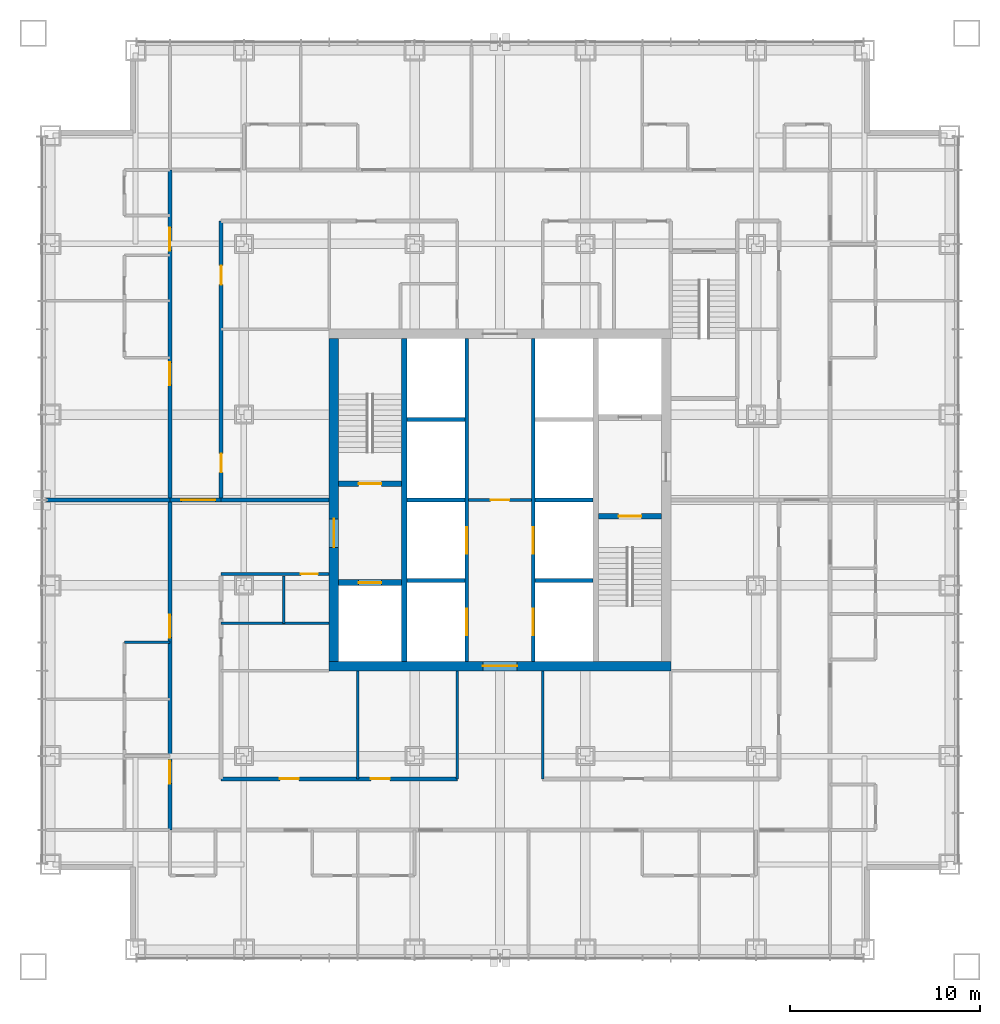
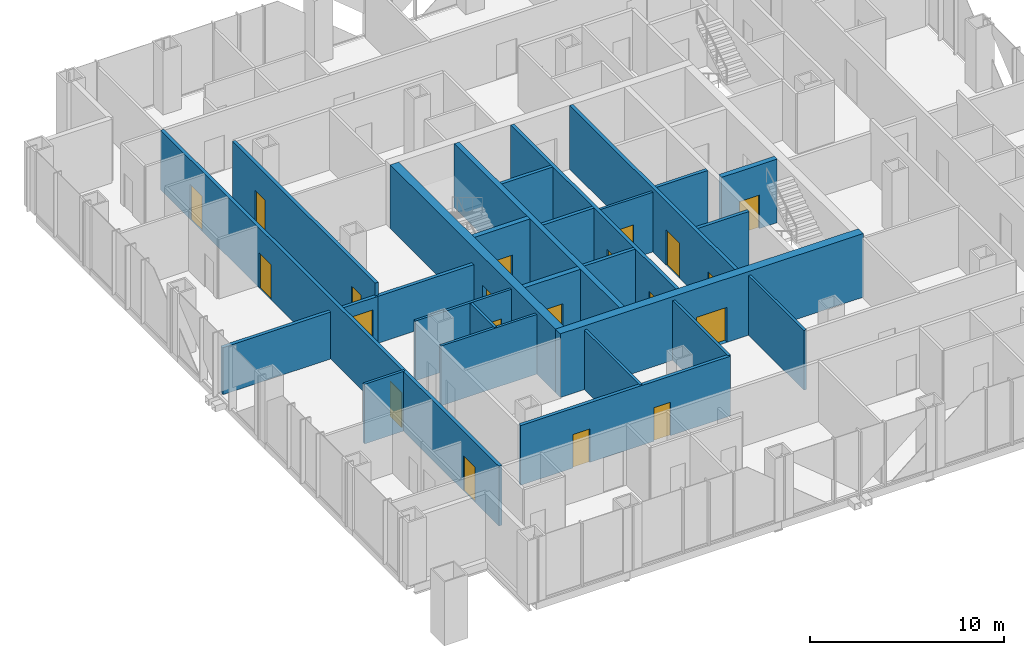
# One storey, part 9 of 17: 27 walls, 20 doors, 20 openings.
"""IFC4 building model written with IfcOpenShell, lengths in metres."""

import ifcopenshell
import ifcopenshell.guid

model = None  # the IFC model being written
_history = None  # IfcOwnerHistory: only IFC2X3 demands one
_inside = {}  # id of a spatial element -> (the spatial element, [elements in it])
_under = {}  # id of a project, library or spatial element -> (it, [spatial elements below it])
_declared = {}  # id of a project -> (the project, [libraries it declares])
_typed = {}  # id of a type object -> (the type object, [elements of that type])
_made_of = {}  # id of a material, layer set ... -> (it, [elements and type objects made of it])


def new_model(schema):
    """Start an empty IFC model of exactly this schema.

    Asked for "IFC4X3", IfcOpenShell would pick the latest addendum, in which some entities
    have other attributes; the version numbers below select the first issue.
    IFC2X3 requires an IfcOwnerHistory on every rooted entity: one is made here for all.
    """
    global model, _history
    if schema == "IFC4X3":
        model = ifcopenshell.file(schema_version=(4, 3, 0, 0))
    else:
        model = ifcopenshell.file(schema=schema)
    _inside.clear()
    _under.clear()
    _declared.clear()
    _typed.clear()
    _made_of.clear()
    _history = None
    if model.schema == "IFC2X3":
        org = make("IfcOrganization", Name="unknown")
        user = make(
            "IfcPersonAndOrganization",
            ThePerson=make("IfcPerson", FamilyName="unknown"),
            TheOrganization=org,
        )
        app = make(
            "IfcApplication",
            ApplicationDeveloper=org,
            Version="unknown",
            ApplicationFullName="unknown",
            ApplicationIdentifier="unknown",
        )
        _history = make(
            "IfcOwnerHistory",
            OwningUser=user,
            OwningApplication=app,
            ChangeAction="ADDED",
            CreationDate=0,
        )
    return model


def make(cls, **values):
    """One entity of the class cls with the attributes given. An attribute that is None is left unset."""
    return model.create_entity(
        cls, **{name: value for name, value in values.items() if value is not None}
    )


def rooted(cls, **values):
    """An entity with a GlobalId (a new one), such as an element, a storey or a relation."""
    return make(cls, GlobalId=ifcopenshell.guid.new(), OwnerHistory=_history, **values)


def si_unit(unit_type, name, prefix=None):
    """IfcSIUnit, for example si_unit("LENGTHUNIT", "METRE", prefix="MILLI")."""
    return make("IfcSIUnit", UnitType=unit_type, Prefix=prefix, Name=name)


def assignment(units):
    """IfcUnitAssignment: the units of a project."""
    return None if units is None else make("IfcUnitAssignment", Units=units)


def point(xyz):
    """IfcCartesianPoint."""
    return None if xyz is None else make("IfcCartesianPoint", Coordinates=xyz)


def direction(xyz):
    """IfcDirection."""
    return None if xyz is None else make("IfcDirection", DirectionRatios=xyz)


def frame(location, z_axis=None, x_axis=None):
    """IfcAxis2Placement3D, a coordinate frame: its origin and axes. An axis left out is left unset."""
    return make(
        "IfcAxis2Placement3D",
        Location=point(location),
        Axis=direction(z_axis),
        RefDirection=direction(x_axis),
    )


def frame_2d(location, x_axis=None):
    """IfcAxis2Placement2D, a coordinate frame in the plane: its origin and x axis."""
    return make(
        "IfcAxis2Placement2D", Location=point(location), RefDirection=direction(x_axis)
    )


def origin():
    """The frame at (0, 0, 0) with its axes left unset."""
    return frame((0.0, 0.0, 0.0))


def place(relative_to, where):
    """IfcLocalPlacement: puts the frame where relative to a parent placement (None: the world)."""
    return make(
        "IfcLocalPlacement", PlacementRelTo=relative_to, RelativePlacement=where
    )


def context(
    kind, dimensions, precision=None, world=None, true_north=None, identifier=None
):
    """IfcGeometricRepresentationContext, for example the 3D "Model" context."""
    return make(
        "IfcGeometricRepresentationContext",
        ContextIdentifier=identifier,
        ContextType=kind,
        CoordinateSpaceDimension=dimensions,
        Precision=precision,
        WorldCoordinateSystem=world,
        TrueNorth=true_north,
    )


def subcontext(parent, identifier, kind, view, scale=None):
    """IfcGeometricRepresentationSubContext, for example "Body" below "Model"."""
    return make(
        "IfcGeometricRepresentationSubContext",
        ContextIdentifier=identifier,
        ContextType=kind,
        ParentContext=parent,
        TargetScale=scale,
        TargetView=view,
    )


def project(units=None, contexts=None):
    """IfcProject with its units and contexts."""
    return rooted(
        "IfcProject",
        Name="project",
        RepresentationContexts=contexts,
        UnitsInContext=assignment(units),
    )


def spatial(cls, under=None, at=None, **own):
    """A site, building, storey or space (cls), placed at a placement, below another one or the project."""
    s = rooted(cls, ObjectPlacement=at, **own)
    if under is not None:
        _under.setdefault(under.id(), (under, []))[1].append(s)
    return s


def profile(cls, at=None, kind="AREA", **sizes):
    """A parametric profile (cls). Its sizes go by their IFC names, for example OverallWidth=200.0."""
    return make(cls, ProfileType=kind, Position=at, **sizes)


def rectangle(**sizes):
    """IfcRectangleProfileDef."""
    return profile("IfcRectangleProfileDef", **sizes)


def extrude(swept, where, along, depth):
    """IfcExtrudedAreaSolid: the profile swept, set in the frame where, extruded along a direction by depth."""
    return make(
        "IfcExtrudedAreaSolid",
        SweptArea=swept,
        Position=where,
        ExtrudedDirection=direction(along),
        Depth=depth,
    )


def shape(context_of_items, identifier, shape_type, items):
    """IfcShapeRepresentation: the items that make up one representation, for example the "Body"."""
    return make(
        "IfcShapeRepresentation",
        ContextOfItems=context_of_items,
        RepresentationIdentifier=identifier,
        RepresentationType=shape_type,
        Items=items,
    )


def material(Name=None, Category=None):
    """IfcMaterial."""
    return make("IfcMaterial", Name=Name, Category=Category)


def layer(
    of_material, thickness, ventilated=None, Name=None, Category=None, Priority=None
):
    """IfcMaterialLayer: one layer of a wall or slab, of a material (None: an air gap)."""
    return make(
        "IfcMaterialLayer",
        Material=of_material,
        LayerThickness=thickness,
        IsVentilated=ventilated,
        Name=Name,
        Category=Category,
        Priority=Priority,
    )


def layer_set(layers, Name=None):
    """IfcMaterialLayerSet."""
    return make("IfcMaterialLayerSet", MaterialLayers=layers, LayerSetName=Name)


def made_of(thing, what):
    """Note that an element or type object is made of a material, layer set ...; save() writes the relation."""
    if what is not None:
        _made_of.setdefault(what.id(), (what, []))[1].append(thing)
    return thing


def type_object(cls, material=None, **own):
    """A type object (cls), such as IfcWallType, which elements share."""
    return made_of(rooted(cls, **own), material)


def element(
    cls,
    number,
    at=None,
    inside=None,
    cuts=None,
    type_object=None,
    material=None,
    context=None,
    identifier="Body",
    shape_type=None,
    held_by="IfcProductDefinitionShape",
    body=None,
    shapes=None,
    **own,
):
    """One element of the class cls, such as IfcWall. Its Tag is "e" and its number.

    at: its placement. inside: the storey or other place that contains it. cuts: it is an
    opening in that element (IfcRelVoidsElement). A single representation is given by context,
    identifier, shape_type and body (its items); several are given by shapes. held_by: the class
    of the entity that holds the representations. save() writes the other relations.
    """
    e = rooted(cls, Tag="e%d" % number, ObjectPlacement=at, **own)
    if body is not None:
        shapes = [shape(context, identifier, shape_type, body)]
    if shapes is not None:
        e.Representation = make(held_by, Representations=shapes)
    if inside is not None:
        _inside.setdefault(inside.id(), (inside, []))[1].append(e)
    if cuts is not None:
        rooted(
            "IfcRelVoidsElement", RelatingBuildingElement=cuts, RelatedOpeningElement=e
        )
    if type_object is not None:
        _typed.setdefault(type_object.id(), (type_object, []))[1].append(e)
    return made_of(e, material)


def fill(opening, filler):
    """IfcRelFillsElement: the door or window that sits in an opening."""
    return rooted(
        "IfcRelFillsElement",
        RelatingOpeningElement=opening,
        RelatedBuildingElement=filler,
    )


def aggregate(whole, parts):
    """IfcRelAggregates: a whole, such as a stair, and the parts it consists of."""
    return rooted("IfcRelAggregates", RelatingObject=whole, RelatedObjects=parts)


def save(model, path):
    """Write the relations noted so far, then the file.

    IfcRelAggregates (storeys below a building ...), IfcRelContainedInSpatialStructure (elements
    in a storey), IfcRelDefinesByType, IfcRelAssociatesMaterial and IfcRelDeclares: one each for
    every whole, place, type object, material and project.
    """
    for whole, parts in _under.values():
        aggregate(whole, parts)
    for where, things in _inside.values():
        rooted(
            "IfcRelContainedInSpatialStructure",
            RelatedElements=things,
            RelatingStructure=where,
        )
    for kind, things in _typed.values():
        rooted("IfcRelDefinesByType", RelatedObjects=things, RelatingType=kind)
    for what, things in _made_of.values():
        rooted("IfcRelAssociatesMaterial", RelatedObjects=things, RelatingMaterial=what)
    for by, libraries in _declared.values():
        rooted("IfcRelDeclares", RelatingContext=by, RelatedDefinitions=libraries)
    model.write(path)


model = new_model("IFC4")

# Units and contexts
model_context = context("Model", 3, precision=1e-05, world=origin(), true_north=direction((0.0, 1.0)))
body_context = subcontext(model_context, "Body", "Model", "MODEL_VIEW")
ifc_project = project(units=[si_unit("LENGTHUNIT", "METRE"), si_unit("AREAUNIT", "SQUARE_METRE"), si_unit("VOLUMEUNIT", "CUBIC_METRE"), si_unit("PLANEANGLEUNIT", "RADIAN"), si_unit("MASSUNIT", "GRAM", prefix="KILO")], contexts=[model_context])

# Site, building, storey
site_placement = place(None, origin())
site = spatial("IfcSite", under=ifc_project, at=site_placement, CompositionType="ELEMENT")
building_placement = place(site_placement, origin())
building = spatial("IfcBuilding", under=site, at=building_placement, Name="Malebo Sky Hospital", CompositionType="ELEMENT")
storey_placement = place(building_placement, frame((0.0, 0.0, 120.0)))
storey = spatial("IfcBuildingStorey", under=building, at=storey_placement, Name="L28", CompositionType="ELEMENT", Elevation=120.0)

# Wall, openings, doors
ifc_material_1 = material(Name="Concrete C80/95", Category="concrete")
ifc_layer_1 = layer(ifc_material_1, 0.199951171875)
ifc_layer_set_1 = layer_set([ifc_layer_1], Name="CORE INNER WALL 200")
wall_type_1 = type_object("IfcWallType", Name="CORE INNER WALL 200", PredefinedType="SHEAR", material=ifc_layer_set_1)
wall_1_placement = place(storey_placement, frame((58.25, 53.5, 0.0), z_axis=(0.0, 0.0, 1.0), x_axis=(0.0, 1.0, 0.0)))
wall_1 = element("IfcWall", 1, at=wall_1_placement, inside=storey, type_object=wall_type_1, Name="Core wall LW L28", PredefinedType="SHEAR", context=body_context, shape_type="SweptSolid", body=[
    extrude(rectangle(XDim=17.0, YDim=0.199951171875, at=frame_2d((8.5, 0.0))), origin(), (0.0, 0.0, 1.0), 4.0),
])
opening_1_placement = place(wall_1_placement, frame((1.375, 0.0, 0.0)))
opening_1 = element("IfcOpeningElement", 2, at=opening_1_placement, cuts=wall_1, Name="Opening LD1", PredefinedType="OPENING", context=body_context, shape_type="SweptSolid", body=[
    extrude(rectangle(XDim=1.39990234375, YDim=2.199951171875, at=frame_2d((0.699951171875, 1.10009765625))), frame((0.0, 0.10986328125, 0.0), z_axis=(0.0, -1.0, 0.0), x_axis=(1.0, 0.0, 0.0)), (0.0, 0.0, 1.0), 0.219970703125),
])
opening_2_placement = place(wall_1_placement, frame((5.675048828125, 0.0, 0.0)))
opening_2 = element("IfcOpeningElement", 3, at=opening_2_placement, cuts=wall_1, Name="Opening LD1", PredefinedType="OPENING", context=body_context, shape_type="SweptSolid", body=[
    extrude(rectangle(XDim=1.39990234375, YDim=2.199951171875, at=frame_2d((0.699951171875, 1.10009765625))), frame((0.0, 0.10986328125, 0.0), z_axis=(0.0, -1.0, 0.0), x_axis=(1.0, 0.0, 0.0)), (0.0, 0.0, 1.0), 0.219970703125),
])
ifc_material_2 = material(Name="Stainless steel sliding landing door", Category="steel")
door_type_1 = type_object("IfcDoorType", Name="LIFT LANDING DOOR 1400", OperationType="SLIDING_TO_LEFT", PredefinedType="DOOR", material=ifc_material_2)
door_1_placement = place(opening_1_placement, origin())
door_1 = element("IfcDoor", 4, at=door_1_placement, inside=storey, type_object=door_type_1, Name="Lift W1 landing door", OperationType="SLIDING_TO_LEFT", OverallHeight=2.199951171875, OverallWidth=1.39990234375, PredefinedType="DOOR", context=body_context, shape_type="SweptSolid", body=[
    extrude(rectangle(XDim=1.39990234375, YDim=2.199951171875, at=frame_2d((0.699951171875, 1.10009765625))), frame((0.0, 0.02490234375, 0.0), z_axis=(0.0, -1.0, 0.0), x_axis=(1.0, 0.0, 0.0)), (0.0, 0.0, 1.0), 0.050048828125),
])
fill(opening_1, door_1)
door_2_placement = place(opening_2_placement, origin())
door_2 = element("IfcDoor", 5, at=door_2_placement, inside=storey, type_object=door_type_1, Name="Lift W2 landing door", OperationType="SLIDING_TO_LEFT", OverallHeight=2.199951171875, OverallWidth=1.39990234375, PredefinedType="DOOR", context=body_context, shape_type="SweptSolid", body=[
    extrude(rectangle(XDim=1.39990234375, YDim=2.199951171875, at=frame_2d((0.699951171875, 1.10009765625))), frame((0.0, 0.02490234375, 0.0), z_axis=(0.0, -1.0, 0.0), x_axis=(1.0, 0.0, 0.0)), (0.0, 0.0, 1.0), 0.050048828125),
])
fill(opening_2, door_2)

wall_2_placement = place(storey_placement, frame((61.75, 53.5, 0.0), z_axis=(0.0, 0.0, 1.0), x_axis=(0.0, 1.0, 0.0)))
wall_2 = element("IfcWall", 6, at=wall_2_placement, inside=storey, type_object=wall_type_1, Name="Core wall LE L28", PredefinedType="SHEAR", context=body_context, shape_type="SweptSolid", body=[
    extrude(rectangle(XDim=17.0, YDim=0.199951171875, at=frame_2d((8.5, 0.0))), origin(), (0.0, 0.0, 1.0), 4.0),
])
opening_3_placement = place(wall_2_placement, frame((1.375, 0.0, 0.0)))
opening_3 = element("IfcOpeningElement", 7, at=opening_3_placement, cuts=wall_2, Name="Opening LD1", PredefinedType="OPENING", context=body_context, shape_type="SweptSolid", body=[
    extrude(rectangle(XDim=1.39990234375, YDim=2.199951171875, at=frame_2d((0.699951171875, 1.10009765625))), frame((0.0, 0.10986328125, 0.0), z_axis=(0.0, -1.0, 0.0), x_axis=(1.0, 0.0, 0.0)), (0.0, 0.0, 1.0), 0.219970703125),
])
opening_4_placement = place(wall_2_placement, frame((5.675048828125, 0.0, 0.0)))
opening_4 = element("IfcOpeningElement", 8, at=opening_4_placement, cuts=wall_2, Name="Opening LD1", PredefinedType="OPENING", context=body_context, shape_type="SweptSolid", body=[
    extrude(rectangle(XDim=1.39990234375, YDim=2.199951171875, at=frame_2d((0.699951171875, 1.10009765625))), frame((0.0, 0.10986328125, 0.0), z_axis=(0.0, -1.0, 0.0), x_axis=(1.0, 0.0, 0.0)), (0.0, 0.0, 1.0), 0.219970703125),
])
door_3_placement = place(opening_3_placement, origin())
door_3 = element("IfcDoor", 9, at=door_3_placement, inside=storey, type_object=door_type_1, Name="Lift E1 landing door", OperationType="SLIDING_TO_LEFT", OverallHeight=2.199951171875, OverallWidth=1.39990234375, PredefinedType="DOOR", context=body_context, shape_type="SweptSolid", body=[
    extrude(rectangle(XDim=1.39990234375, YDim=2.199951171875, at=frame_2d((0.699951171875, 1.10009765625))), frame((0.0, 0.02490234375, 0.0), z_axis=(0.0, -1.0, 0.0), x_axis=(1.0, 0.0, 0.0)), (0.0, 0.0, 1.0), 0.050048828125),
])
fill(opening_3, door_3)
door_4_placement = place(opening_4_placement, origin())
door_4 = element("IfcDoor", 10, at=door_4_placement, inside=storey, type_object=door_type_1, Name="Lift E2 landing door", OperationType="SLIDING_TO_LEFT", OverallHeight=2.199951171875, OverallWidth=1.39990234375, PredefinedType="DOOR", context=body_context, shape_type="SweptSolid", body=[
    extrude(rectangle(XDim=1.39990234375, YDim=2.199951171875, at=frame_2d((0.699951171875, 1.10009765625))), frame((0.0, 0.02490234375, 0.0), z_axis=(0.0, -1.0, 0.0), x_axis=(1.0, 0.0, 0.0)), (0.0, 0.0, 1.0), 0.050048828125),
])
fill(opening_4, door_4)

# Walls
for number, where, z_axis, x_axis, name in (
    (11, (55.10009765625, 57.75, 0.0), (0.0, 0.0, 1.0), (1.0, 0.0, 0.0), "Core wall SW0 L28"),
    (12, (61.85009765625, 57.75, 0.0), (0.0, 0.0, 1.0), (1.0, 0.0, 0.0), "Core wall SE0 L28"),
    (13, (55.10009765625, 62.0, 0.0), (0.0, 0.0, 1.0), (1.0, 0.0, 0.0), "Core wall SW1 L28"),
    (14, (61.85009765625, 62.0, 0.0), (0.0, 0.0, 1.0), (1.0, 0.0, 0.0), "Core wall SE1 L28"),
    (15, (55.10009765625, 66.25, 0.0), (0.0, 0.0, 1.0), (1.0, 0.0, 0.0), "Core wall SW2 L28"),
):
    element("IfcWall", number, at=place(storey_placement, frame(where, z_axis=z_axis, x_axis=x_axis)), inside=storey, type_object=wall_type_1, Name=name, PredefinedType="SHEAR", context=body_context, shape_type="SweptSolid", body=[
        extrude(rectangle(XDim=3.0498046875, YDim=0.199951171875, at=frame_2d((1.52490234375, 0.0))), origin(), (0.0, 0.0, 1.0), 4.0),
    ])
ifc_layer_2 = layer(ifc_material_1, 0.300048828125)
ifc_layer_set_2 = layer_set([ifc_layer_2], Name="CORE INNER WALL 300")
wall_type_2 = type_object("IfcWallType", Name="CORE INNER WALL 300", PredefinedType="SHEAR", material=ifc_layer_set_2)
wall_3_placement = place(storey_placement, frame((54.949951171875, 53.5, 0.0), z_axis=(0.0, 0.0, 1.0), x_axis=(0.0, 1.0, 0.0)))
element("IfcWall", 16, at=wall_3_placement, inside=storey, type_object=wall_type_2, Name="Core wall XW L28", PredefinedType="SHEAR", context=body_context, shape_type="SweptSolid", body=[
    extrude(rectangle(XDim=17.0, YDim=0.300048828125, at=frame_2d((8.5, 0.0))), origin(), (0.0, 0.0, 1.0), 4.0),
])

# Wall, opening, door
wall_4_placement = place(storey_placement, frame((51.5, 62.85009765625, 0.0), z_axis=(0.0, 0.0, 1.0), x_axis=(1.0, 0.0, 0.0)))
wall_4 = element("IfcWall", 17, at=wall_4_placement, inside=storey, type_object=wall_type_2, Name="Core wall W1 L28", PredefinedType="SHEAR", context=body_context, shape_type="SweptSolid", body=[
    extrude(rectangle(XDim=3.300048828125, YDim=0.300048828125, at=frame_2d((1.64990234375, 0.0))), origin(), (0.0, 0.0, 1.0), 4.0),
])
opening_5_placement = place(wall_4_placement, frame((1.050048828125, 0.0, 0.0)))
opening_5 = element("IfcOpeningElement", 18, at=opening_5_placement, cuts=wall_4, Name="Opening D08", PredefinedType="OPENING", context=body_context, shape_type="SweptSolid", body=[
    extrude(rectangle(XDim=1.199951171875, YDim=2.10009765625, at=frame_2d((0.60009765625, 1.050048828125))), frame((0.0, 0.159912109375, 0.0), z_axis=(0.0, -1.0, 0.0), x_axis=(1.0, 0.0, 0.0)), (0.0, 0.0, 1.0), 0.320068359375),
])
ifc_material_3 = material(Name="Hardwood-faced door leaf in steel frame", Category="steel")
door_type_2 = type_object("IfcDoorType", Name="STAIR DOOR 1200", OperationType="SINGLE_SWING_LEFT", PredefinedType="DOOR", material=ifc_material_3)
door_5_placement = place(opening_5_placement, origin())
door_5 = element("IfcDoor", 19, at=door_5_placement, inside=storey, type_object=door_type_2, Name="Stair S1 door", OperationType="SINGLE_SWING_LEFT", OverallHeight=2.10009765625, OverallWidth=1.199951171875, PredefinedType="DOOR", context=body_context, shape_type="SweptSolid", body=[
    extrude(rectangle(XDim=1.199951171875, YDim=2.10009765625, at=frame_2d((0.60009765625, 1.050048828125))), frame((0.0, 0.02490234375, 0.0), z_axis=(0.0, -1.0, 0.0), x_axis=(1.0, 0.0, 0.0)), (0.0, 0.0, 1.0), 0.050048828125),
])
fill(opening_5, door_5)

wall_5_placement = place(storey_placement, frame((51.5, 57.64990234375, 0.0), z_axis=(0.0, 0.0, 1.0), x_axis=(1.0, 0.0, 0.0)))
wall_5 = element("IfcWall", 20, at=wall_5_placement, inside=storey, type_object=wall_type_2, Name="Core wall W2 L28", PredefinedType="SHEAR", context=body_context, shape_type="SweptSolid", body=[
    extrude(rectangle(XDim=3.300048828125, YDim=0.300048828125, at=frame_2d((1.64990234375, 0.0))), origin(), (0.0, 0.0, 1.0), 4.0),
])
opening_6_placement = place(wall_5_placement, frame((1.050048828125, 0.0, 0.0)))
opening_6 = element("IfcOpeningElement", 21, at=opening_6_placement, cuts=wall_5, Name="Opening LD2", PredefinedType="OPENING", context=body_context, shape_type="SweptSolid", body=[
    extrude(rectangle(XDim=1.199951171875, YDim=2.199951171875, at=frame_2d((0.60009765625, 1.10009765625))), frame((0.0, 0.159912109375, 0.0), z_axis=(0.0, -1.0, 0.0), x_axis=(1.0, 0.0, 0.0)), (0.0, 0.0, 1.0), 0.320068359375),
])
door_type_3 = type_object("IfcDoorType", Name="FIRE-FIGHTING LIFT LANDING DOOR 1200", OperationType="SLIDING_TO_LEFT", PredefinedType="DOOR", material=ifc_material_2)
door_6_placement = place(opening_6_placement, origin())
door_6 = element("IfcDoor", 22, at=door_6_placement, inside=storey, type_object=door_type_3, Name="Lift FL1 landing door", OperationType="SLIDING_TO_LEFT", OverallHeight=2.199951171875, OverallWidth=1.199951171875, PredefinedType="DOOR", context=body_context, shape_type="SweptSolid", body=[
    extrude(rectangle(XDim=1.199951171875, YDim=2.199951171875, at=frame_2d((0.60009765625, 1.10009765625))), frame((0.0, 0.02490234375, 0.0), z_axis=(0.0, -1.0, 0.0), x_axis=(1.0, 0.0, 0.0)), (0.0, 0.0, 1.0), 0.050048828125),
])
fill(opening_6, door_6)

wall_6_placement = place(storey_placement, frame((65.199951171875, 61.14990234375, 0.0), z_axis=(0.0, 0.0, 1.0), x_axis=(1.0, 0.0, 0.0)))
wall_6 = element("IfcWall", 23, at=wall_6_placement, inside=storey, type_object=wall_type_2, Name="Core wall E1 L28", PredefinedType="SHEAR", context=body_context, shape_type="SweptSolid", body=[
    extrude(rectangle(XDim=3.300048828125, YDim=0.300048828125, at=frame_2d((1.64990234375, 0.0))), origin(), (0.0, 0.0, 1.0), 4.0),
])
opening_7_placement = place(wall_6_placement, frame((1.050048828125, 0.0, 0.0)))
opening_7 = element("IfcOpeningElement", 24, at=opening_7_placement, cuts=wall_6, Name="Opening D08", PredefinedType="OPENING", context=body_context, shape_type="SweptSolid", body=[
    extrude(rectangle(XDim=1.199951171875, YDim=2.10009765625, at=frame_2d((0.60009765625, 1.050048828125))), frame((0.0, 0.159912109375, 0.0), z_axis=(0.0, -1.0, 0.0), x_axis=(1.0, 0.0, 0.0)), (0.0, 0.0, 1.0), 0.320068359375),
])
door_7_placement = place(opening_7_placement, origin())
door_7 = element("IfcDoor", 25, at=door_7_placement, inside=storey, type_object=door_type_2, Name="Stair S2 door", OperationType="SINGLE_SWING_LEFT", OverallHeight=2.10009765625, OverallWidth=1.199951171875, PredefinedType="DOOR", context=body_context, shape_type="SweptSolid", body=[
    extrude(rectangle(XDim=1.199951171875, YDim=2.10009765625, at=frame_2d((0.60009765625, 1.050048828125))), frame((0.0, 0.02490234375, 0.0), z_axis=(0.0, -1.0, 0.0), x_axis=(1.0, 0.0, 0.0)), (0.0, 0.0, 1.0), 0.050048828125),
])
fill(opening_7, door_7)

ifc_layer_3 = layer(ifc_material_1, 0.5)
ifc_layer_set_3 = layer_set([ifc_layer_3], Name="CORE WALL 500")
wall_type_3 = type_object("IfcWallType", Name="CORE WALL 500", PredefinedType="SHEAR", material=ifc_layer_set_3)
wall_7_placement = place(storey_placement, frame((51.0, 53.25, 0.0), z_axis=(0.0, 0.0, 1.0), x_axis=(1.0, 0.0, 0.0)))
wall_7 = element("IfcWall", 26, at=wall_7_placement, inside=storey, type_object=wall_type_3, Name="Core wall S L28", PredefinedType="SHEAR", context=body_context, shape_type="SweptSolid", body=[
    extrude(rectangle(XDim=18.0, YDim=0.5, at=frame_2d((9.0, 0.0))), origin(), (0.0, 0.0, 1.0), 4.0),
])
opening_8_placement = place(wall_7_placement, frame((8.10009765625, 0.0, 0.0)))
opening_8 = element("IfcOpeningElement", 27, at=opening_8_placement, cuts=wall_7, Name="Opening D06", PredefinedType="OPENING", context=body_context, shape_type="SweptSolid", body=[
    extrude(rectangle(XDim=1.800048828125, YDim=2.199951171875, at=frame_2d((0.89990234375, 1.10009765625))), frame((0.0, 0.260009765625, 0.0), z_axis=(0.0, -1.0, 0.0), x_axis=(1.0, 0.0, 0.0)), (0.0, 0.0, 1.0), 0.52001953125),
])
door_type_4 = type_object("IfcDoorType", Name="LOBBY DOOR PAIR 1800", OperationType="DOUBLE_DOOR_SINGLE_SWING", PredefinedType="DOOR", material=ifc_material_3)
door_8_placement = place(opening_8_placement, origin())
door_8 = element("IfcDoor", 28, at=door_8_placement, inside=storey, type_object=door_type_4, Name="Lift lobby door south", OperationType="DOUBLE_DOOR_SINGLE_SWING", OverallHeight=2.199951171875, OverallWidth=1.800048828125, PredefinedType="DOOR", context=body_context, shape_type="SweptSolid", body=[
    extrude(rectangle(XDim=1.800048828125, YDim=2.199951171875, at=frame_2d((0.89990234375, 1.10009765625))), frame((0.0, 0.02490234375, 0.0), z_axis=(0.0, -1.0, 0.0), x_axis=(1.0, 0.0, 0.0)), (0.0, 0.0, 1.0), 0.050048828125),
])
fill(opening_8, door_8)

wall_8_placement = place(storey_placement, frame((51.25, 53.5, 0.0), z_axis=(0.0, 0.0, 1.0), x_axis=(0.0, 1.0, 0.0)))
wall_8 = element("IfcWall", 29, at=wall_8_placement, inside=storey, type_object=wall_type_3, Name="Core wall W L28", PredefinedType="SHEAR", context=body_context, shape_type="SweptSolid", body=[
    extrude(rectangle(XDim=17.0, YDim=0.5, at=frame_2d((8.5, 0.0))), origin(), (0.0, 0.0, 1.0), 4.0),
])
opening_9_placement = place(wall_8_placement, frame((6.0, 0.0, 0.0)))
opening_9 = element("IfcOpeningElement", 30, at=opening_9_placement, cuts=wall_8, Name="Opening D07", PredefinedType="OPENING", context=body_context, shape_type="SweptSolid", body=[
    extrude(rectangle(XDim=1.5, YDim=2.199951171875, at=frame_2d((0.75, 1.10009765625))), frame((0.0, 0.260009765625, 0.0), z_axis=(0.0, -1.0, 0.0), x_axis=(1.0, 0.0, 0.0)), (0.0, 0.0, 1.0), 0.52001953125),
])
door_type_5 = type_object("IfcDoorType", Name="FIRE-FIGHTING LOBBY DOOR PAIR 1500", OperationType="DOUBLE_DOOR_SINGLE_SWING", PredefinedType="DOOR", material=ifc_material_3)
door_9_placement = place(opening_9_placement, origin())
door_9 = element("IfcDoor", 31, at=door_9_placement, inside=storey, type_object=door_type_5, Name="Fire-fighting lobby door west", OperationType="DOUBLE_DOOR_SINGLE_SWING", OverallHeight=2.199951171875, OverallWidth=1.5, PredefinedType="DOOR", context=body_context, shape_type="SweptSolid", body=[
    extrude(rectangle(XDim=1.5, YDim=2.199951171875, at=frame_2d((0.75, 1.10009765625))), frame((0.0, 0.02490234375, 0.0), z_axis=(0.0, -1.0, 0.0), x_axis=(1.0, 0.0, 0.0)), (0.0, 0.0, 1.0), 0.050048828125),
])
fill(opening_9, door_9)

# Wall, openings, doors
ifc_material_4 = material(Name="Gypsum board on steel studs", Category="steel")
ifc_layer_4 = layer(ifc_material_4, 0.199951171875)
ifc_layer_set_4 = layer_set([ifc_layer_4], Name="CORRIDOR WALL 200")
wall_type_4 = type_object("IfcWallType", Name="CORRIDOR WALL 200", PredefinedType="PARTITIONING", material=ifc_layer_set_4)
wall_9_placement = place(storey_placement, frame((42.60009765625, 44.60009765625, 0.0), z_axis=(0.0, 0.0, 1.0), x_axis=(0.0, 1.0, 0.0)))
wall_9 = element("IfcWall", 32, at=wall_9_placement, inside=storey, type_object=wall_type_4, Name="Corridor Wall 200 WCO", PredefinedType="PARTITIONING", context=body_context, shape_type="SweptSolid", body=[
    extrude(rectangle(XDim=34.7998046875, YDim=0.199951171875, at=frame_2d((17.39990234375, 0.0))), origin(), (0.0, 0.0, 1.0), 3.75),
])
opening_10_placement = place(wall_9_placement, frame((2.449951171875, 0.0, 0.0)))
opening_10 = element("IfcOpeningElement", 33, at=opening_10_placement, cuts=wall_9, Name="Opening D18", PredefinedType="OPENING", context=body_context, shape_type="SweptSolid", body=[
    extrude(rectangle(XDim=1.199951171875, YDim=2.199951171875, at=frame_2d((0.60009765625, 1.10009765625))), frame((0.0, 0.10986328125, 0.0), z_axis=(0.0, -1.0, 0.0), x_axis=(1.0, 0.0, 0.0)), (0.0, 0.0, 1.0), 0.219970703125),
])
opening_11_placement = place(wall_9_placement, frame((10.14990234375, 0.0, 0.0)))
opening_11 = element("IfcOpeningElement", 34, at=opening_11_placement, cuts=wall_9, Name="Opening D01", PredefinedType="OPENING", context=body_context, shape_type="SweptSolid", body=[
    extrude(rectangle(XDim=1.199951171875, YDim=2.199951171875, at=frame_2d((0.60009765625, 1.10009765625))), frame((0.0, 0.10986328125, 0.0), z_axis=(0.0, -1.0, 0.0), x_axis=(1.0, 0.0, 0.0)), (0.0, 0.0, 1.0), 0.219970703125),
])
opening_12_placement = place(wall_9_placement, frame((23.449951171875, 0.0, 0.0)))
opening_12 = element("IfcOpeningElement", 35, at=opening_12_placement, cuts=wall_9, Name="Opening D01", PredefinedType="OPENING", context=body_context, shape_type="SweptSolid", body=[
    extrude(rectangle(XDim=1.199951171875, YDim=2.199951171875, at=frame_2d((0.60009765625, 1.10009765625))), frame((0.0, 0.10986328125, 0.0), z_axis=(0.0, -1.0, 0.0), x_axis=(1.0, 0.0, 0.0)), (0.0, 0.0, 1.0), 0.219970703125),
])
opening_13_placement = place(wall_9_placement, frame((30.550048828125, 0.0, 0.0)))
opening_13 = element("IfcOpeningElement", 36, at=opening_13_placement, cuts=wall_9, Name="Opening D01", PredefinedType="OPENING", context=body_context, shape_type="SweptSolid", body=[
    extrude(rectangle(XDim=1.199951171875, YDim=2.199951171875, at=frame_2d((0.60009765625, 1.10009765625))), frame((0.0, 0.10986328125, 0.0), z_axis=(0.0, -1.0, 0.0), x_axis=(1.0, 0.0, 0.0)), (0.0, 0.0, 1.0), 0.219970703125),
])
door_type_6 = type_object("IfcDoorType", Name="ANTEROOM DOOR 1200", OperationType="SINGLE_SWING_LEFT", PredefinedType="DOOR", material=ifc_material_3)
door_10_placement = place(opening_10_placement, origin())
door_10 = element("IfcDoor", 37, at=door_10_placement, inside=storey, type_object=door_type_6, Name="Anteroom door", OperationType="SINGLE_SWING_RIGHT", OverallHeight=2.199951171875, OverallWidth=1.199951171875, PredefinedType="DOOR", context=body_context, shape_type="SweptSolid", body=[
    extrude(rectangle(XDim=1.199951171875, YDim=2.199951171875, at=frame_2d((0.60009765625, 1.10009765625))), frame((0.0, 0.02490234375, 0.0), z_axis=(0.0, -1.0, 0.0), x_axis=(1.0, 0.0, 0.0)), (0.0, 0.0, 1.0), 0.050048828125),
])
fill(opening_10, door_10)
door_type_7 = type_object("IfcDoorType", Name="BED DOOR 1200", OperationType="SINGLE_SWING_LEFT", PredefinedType="DOOR", material=ifc_material_3)
door_11_placement = place(opening_11_placement, origin())
door_11 = element("IfcDoor", 38, at=door_11_placement, inside=storey, type_object=door_type_7, Name="Two-bed room door", OperationType="SINGLE_SWING_LEFT", OverallHeight=2.199951171875, OverallWidth=1.199951171875, PredefinedType="DOOR", context=body_context, shape_type="SweptSolid", body=[
    extrude(rectangle(XDim=1.199951171875, YDim=2.199951171875, at=frame_2d((0.60009765625, 1.10009765625))), frame((0.0, 0.02490234375, 0.0), z_axis=(0.0, -1.0, 0.0), x_axis=(1.0, 0.0, 0.0)), (0.0, 0.0, 1.0), 0.050048828125),
])
fill(opening_11, door_11)
door_12_placement = place(opening_12_placement, origin())
door_12 = element("IfcDoor", 39, at=door_12_placement, inside=storey, type_object=door_type_7, Name="Two-bed room door", OperationType="SINGLE_SWING_RIGHT", OverallHeight=2.199951171875, OverallWidth=1.199951171875, PredefinedType="DOOR", context=body_context, shape_type="SweptSolid", body=[
    extrude(rectangle(XDim=1.199951171875, YDim=2.199951171875, at=frame_2d((0.60009765625, 1.10009765625))), frame((0.0, 0.02490234375, 0.0), z_axis=(0.0, -1.0, 0.0), x_axis=(1.0, 0.0, 0.0)), (0.0, 0.0, 1.0), 0.050048828125),
])
fill(opening_12, door_12)
door_13_placement = place(opening_13_placement, origin())
door_13 = element("IfcDoor", 40, at=door_13_placement, inside=storey, type_object=door_type_7, Name="Four-bed bay door", OperationType="SINGLE_SWING_LEFT", OverallHeight=2.199951171875, OverallWidth=1.199951171875, PredefinedType="DOOR", context=body_context, shape_type="SweptSolid", body=[
    extrude(rectangle(XDim=1.199951171875, YDim=2.199951171875, at=frame_2d((0.60009765625, 1.10009765625))), frame((0.0, 0.02490234375, 0.0), z_axis=(0.0, -1.0, 0.0), x_axis=(1.0, 0.0, 0.0)), (0.0, 0.0, 1.0), 0.050048828125),
])
fill(opening_13, door_13)

wall_10_placement = place(storey_placement, frame((45.300048828125, 62.0, 0.0), z_axis=(0.0, 0.0, 1.0), x_axis=(0.0, 1.0, 0.0)))
wall_10 = element("IfcWall", 41, at=wall_10_placement, inside=storey, type_object=wall_type_4, Name="Corridor Wall 200 WCI2", PredefinedType="PARTITIONING", context=body_context, shape_type="SweptSolid", body=[
    extrude(rectangle(XDim=14.699951171875, YDim=0.199951171875, at=frame_2d((7.35009765625, 0.0))), origin(), (0.0, 0.0, 1.0), 3.75),
])
opening_14_placement = place(wall_10_placement, frame((1.449951171875, 0.0, 0.0)))
opening_14 = element("IfcOpeningElement", 42, at=opening_14_placement, cuts=wall_10, Name="Opening D03", PredefinedType="OPENING", context=body_context, shape_type="SweptSolid", body=[
    extrude(rectangle(XDim=1.0, YDim=2.10009765625, at=frame_2d((0.5, 1.050048828125))), frame((0.0, 0.10986328125, 0.0), z_axis=(0.0, -1.0, 0.0), x_axis=(1.0, 0.0, 0.0)), (0.0, 0.0, 1.0), 0.219970703125),
])
opening_15_placement = place(wall_10_placement, frame((11.35009765625, 0.0, 0.0)))
opening_15 = element("IfcOpeningElement", 43, at=opening_15_placement, cuts=wall_10, Name="Opening D03", PredefinedType="OPENING", context=body_context, shape_type="SweptSolid", body=[
    extrude(rectangle(XDim=1.0, YDim=2.10009765625, at=frame_2d((0.5, 1.050048828125))), frame((0.0, 0.10986328125, 0.0), z_axis=(0.0, -1.0, 0.0), x_axis=(1.0, 0.0, 0.0)), (0.0, 0.0, 1.0), 0.219970703125),
])
door_type_8 = type_object("IfcDoorType", Name="ROOM DOOR 1000", OperationType="SINGLE_SWING_LEFT", PredefinedType="DOOR", material=ifc_material_3)
door_14_placement = place(opening_14_placement, origin())
door_14 = element("IfcDoor", 44, at=door_14_placement, inside=storey, type_object=door_type_8, Name="Nurse station door", OperationType="SINGLE_SWING_LEFT", OverallHeight=2.10009765625, OverallWidth=1.0, PredefinedType="DOOR", context=body_context, shape_type="SweptSolid", body=[
    extrude(rectangle(XDim=1.0, YDim=2.10009765625, at=frame_2d((0.5, 1.050048828125))), frame((0.0, 0.02490234375, 0.0), z_axis=(0.0, -1.0, 0.0), x_axis=(1.0, 0.0, 0.0)), (0.0, 0.0, 1.0), 0.050048828125),
])
fill(opening_14, door_14)
door_15_placement = place(opening_15_placement, origin())
door_15 = element("IfcDoor", 45, at=door_15_placement, inside=storey, type_object=door_type_8, Name="Staff base door", OperationType="SINGLE_SWING_RIGHT", OverallHeight=2.10009765625, OverallWidth=1.0, PredefinedType="DOOR", context=body_context, shape_type="SweptSolid", body=[
    extrude(rectangle(XDim=1.0, YDim=2.10009765625, at=frame_2d((0.5, 1.050048828125))), frame((0.0, 0.02490234375, 0.0), z_axis=(0.0, -1.0, 0.0), x_axis=(1.0, 0.0, 0.0)), (0.0, 0.0, 1.0), 0.050048828125),
])
fill(opening_15, door_15)

wall_11_placement = place(storey_placement, frame((57.75, 47.300048828125, 0.0), z_axis=(0.0, 0.0, 1.0), x_axis=(-1.0, 0.0, 0.0)))
wall_11 = element("IfcWall", 46, at=wall_11_placement, inside=storey, type_object=wall_type_4, Name="Corridor Wall 200 SCI2", PredefinedType="PARTITIONING", context=body_context, shape_type="SweptSolid", body=[
    extrude(rectangle(XDim=12.449951171875, YDim=0.199951171875, at=frame_2d((6.22509765625, 0.0))), origin(), (0.0, 0.0, 1.0), 3.75),
])
opening_16_placement = place(wall_11_placement, frame((3.550048828125, 0.0, 0.0)))
opening_16 = element("IfcOpeningElement", 47, at=opening_16_placement, cuts=wall_11, Name="Opening D03", PredefinedType="OPENING", context=body_context, shape_type="SweptSolid", body=[
    extrude(rectangle(XDim=1.0, YDim=2.10009765625, at=frame_2d((0.5, 1.050048828125))), frame((0.0, 0.10986328125, 0.0), z_axis=(0.0, -1.0, 0.0), x_axis=(1.0, 0.0, 0.0)), (0.0, 0.0, 1.0), 0.219970703125),
])
opening_17_placement = place(wall_11_placement, frame((8.35009765625, 0.0, 0.0)))
opening_17 = element("IfcOpeningElement", 48, at=opening_17_placement, cuts=wall_11, Name="Opening D03", PredefinedType="OPENING", context=body_context, shape_type="SweptSolid", body=[
    extrude(rectangle(XDim=1.0, YDim=2.10009765625, at=frame_2d((0.5, 1.050048828125))), frame((0.0, 0.10986328125, 0.0), z_axis=(0.0, -1.0, 0.0), x_axis=(1.0, 0.0, 0.0)), (0.0, 0.0, 1.0), 0.219970703125),
])
door_16_placement = place(opening_16_placement, origin())
door_16 = element("IfcDoor", 49, at=door_16_placement, inside=storey, type_object=door_type_8, Name="Consulting room door", OperationType="SINGLE_SWING_RIGHT", OverallHeight=2.10009765625, OverallWidth=1.0, PredefinedType="DOOR", context=body_context, shape_type="SweptSolid", body=[
    extrude(rectangle(XDim=1.0, YDim=2.10009765625, at=frame_2d((0.5, 1.050048828125))), frame((0.0, 0.02490234375, 0.0), z_axis=(0.0, -1.0, 0.0), x_axis=(1.0, 0.0, 0.0)), (0.0, 0.0, 1.0), 0.050048828125),
])
fill(opening_16, door_16)
door_17_placement = place(opening_17_placement, origin())
door_17 = element("IfcDoor", 50, at=door_17_placement, inside=storey, type_object=door_type_8, Name="Treatment room door", OperationType="SINGLE_SWING_RIGHT", OverallHeight=2.10009765625, OverallWidth=1.0, PredefinedType="DOOR", context=body_context, shape_type="SweptSolid", body=[
    extrude(rectangle(XDim=1.0, YDim=2.10009765625, at=frame_2d((0.5, 1.050048828125))), frame((0.0, 0.02490234375, 0.0), z_axis=(0.0, -1.0, 0.0), x_axis=(1.0, 0.0, 0.0)), (0.0, 0.0, 1.0), 0.050048828125),
])
fill(opening_17, door_17)

# Wall
ifc_layer_5 = layer(ifc_material_4, 0.14990234375)
ifc_layer_set_5 = layer_set([ifc_layer_5], Name="PARTITION 150")
wall_type_5 = type_object("IfcWallType", Name="PARTITION 150", PredefinedType="PARTITIONING", material=ifc_layer_set_5)
wall_12_placement = place(storey_placement, frame((42.60009765625, 54.5, 0.0), z_axis=(0.0, 0.0, 1.0), x_axis=(-1.0, 0.0, 0.0)))
element("IfcWall", 51, at=wall_12_placement, inside=storey, type_object=wall_type_5, Name="Partition 150 WE1S", PredefinedType="PARTITIONING", context=body_context, shape_type="SweptSolid", body=[
    extrude(rectangle(XDim=2.400146484375, YDim=0.14990234375, at=frame_2d((1.2001953125, 0.0))), origin(), (0.0, 0.0, 1.0), 3.75),
])

# Wall, opening, door
wall_13_placement = place(storey_placement, frame((51.0, 58.10009765625, 0.0), z_axis=(0.0, 0.0, 1.0), x_axis=(-1.0, 0.0, 0.0)))
wall_13 = element("IfcWall", 52, at=wall_13_placement, inside=storey, type_object=wall_type_5, Name="Partition 150 WSPA", PredefinedType="PARTITIONING", context=body_context, shape_type="SweptSolid", body=[
    extrude(rectangle(XDim=5.699951171875, YDim=0.14990234375, at=frame_2d((2.85009765625, 0.0))), origin(), (0.0, 0.0, 1.0), 3.75),
])
opening_18_placement = place(wall_13_placement, frame((0.60009765625, 0.0, 0.0)))
opening_18 = element("IfcOpeningElement", 53, at=opening_18_placement, cuts=wall_13, Name="Opening D04", PredefinedType="OPENING", context=body_context, shape_type="SweptSolid", body=[
    extrude(rectangle(XDim=0.89990234375, YDim=2.10009765625, at=frame_2d((0.449951171875, 1.050048828125))), frame((0.0, 0.0849609375, 0.0), z_axis=(0.0, -1.0, 0.0), x_axis=(1.0, 0.0, 0.0)), (0.0, 0.0, 1.0), 0.169921875),
])
door_type_9 = type_object("IfcDoorType", Name="ROOM DOOR 900", OperationType="SINGLE_SWING_LEFT", PredefinedType="DOOR", material=ifc_material_3)
door_18_placement = place(opening_18_placement, origin())
door_18 = element("IfcDoor", 54, at=door_18_placement, inside=storey, type_object=door_type_9, Name="Cleaner's room door", OperationType="SINGLE_SWING_LEFT", OverallHeight=2.10009765625, OverallWidth=0.89990234375, PredefinedType="DOOR", context=body_context, shape_type="SweptSolid", body=[
    extrude(rectangle(XDim=0.89990234375, YDim=2.10009765625, at=frame_2d((0.449951171875, 1.050048828125))), frame((0.0, 0.02490234375, 0.0), z_axis=(0.0, -1.0, 0.0), x_axis=(1.0, 0.0, 0.0)), (0.0, 0.0, 1.0), 0.050048828125),
])
fill(opening_18, door_18)

# Walls
wall_14_placement = place(storey_placement, frame((51.0, 55.5, 0.0), z_axis=(0.0, 0.0, 1.0), x_axis=(-1.0, 0.0, 0.0)))
element("IfcWall", 55, at=wall_14_placement, inside=storey, type_object=wall_type_5, Name="Partition 150 WSP-6.5", PredefinedType="PARTITIONING", context=body_context, shape_type="SweptSolid", body=[
    extrude(rectangle(XDim=5.699951171875, YDim=0.14990234375, at=frame_2d((2.85009765625, 0.0))), origin(), (0.0, 0.0, 1.0), 3.75),
])
wall_15_placement = place(storey_placement, frame((48.60009765625, 55.5, 0.0), z_axis=(0.0, 0.0, 1.0), x_axis=(0.0, 1.0, 0.0)))
element("IfcWall", 56, at=wall_15_placement, inside=storey, type_object=wall_type_5, Name="Partition 150 WSX1", PredefinedType="PARTITIONING", context=body_context, shape_type="SweptSolid", body=[
    extrude(rectangle(XDim=2.5, YDim=0.14990234375, at=frame_2d((1.25, 0.0))), origin(), (0.0, 0.0, 1.0), 3.75),
])
for number, where, z_axis, x_axis, name in (
    (57, (62.25, 53.0, 0.0), (0.0, 0.0, 1.0), (0.0, -1.0, 0.0), "Partition 150 SSPA"),
    (58, (57.75, 53.0, 0.0), (0.0, 0.0, 1.0), (0.0, -1.0, 0.0), "Partition 150 SSPB"),
    (59, (52.5, 53.0, 0.0), (0.0, 0.0, 1.0), (0.0, -1.0, 0.0), "Partition 150 SSP+7.5"),
):
    element("IfcWall", number, at=place(storey_placement, frame(where, z_axis=z_axis, x_axis=x_axis)), inside=storey, type_object=wall_type_5, Name=name, PredefinedType="PARTITIONING", context=body_context, shape_type="SweptSolid", body=[
        extrude(rectangle(XDim=5.699951171875, YDim=0.14990234375, at=frame_2d((2.85009765625, 0.0))), origin(), (0.0, 0.0, 1.0), 3.75),
    ])

# Wall, opening, door
wall_16_placement = place(storey_placement, frame((58.35009765625, 62.0, 0.0), z_axis=(0.0, 0.0, 1.0), x_axis=(1.0, 0.0, 0.0)))
wall_16 = element("IfcWall", 60, at=wall_16_placement, inside=storey, type_object=wall_type_5, Name="Partition 150 LBN", PredefinedType="PARTITIONING", context=body_context, shape_type="SweptSolid", body=[
    extrude(rectangle(XDim=3.2998046875, YDim=0.14990234375, at=frame_2d((1.64990234375, 0.0))), origin(), (0.0, 0.0, 1.0), 3.75),
])
opening_19_placement = place(wall_16_placement, frame((1.14990234375, 0.0, 0.0)))
opening_19 = element("IfcOpeningElement", 61, at=opening_19_placement, cuts=wall_16, Name="Opening D03", PredefinedType="OPENING", context=body_context, shape_type="SweptSolid", body=[
    extrude(rectangle(XDim=1.0, YDim=2.10009765625, at=frame_2d((0.5, 1.050048828125))), frame((0.0, 0.0849609375, 0.0), z_axis=(0.0, -1.0, 0.0), x_axis=(1.0, 0.0, 0.0)), (0.0, 0.0, 1.0), 0.169921875),
])
door_19_placement = place(opening_19_placement, origin())
door_19 = element("IfcDoor", 62, at=door_19_placement, inside=storey, type_object=door_type_8, Name="Linen store door", OperationType="SINGLE_SWING_LEFT", OverallHeight=2.10009765625, OverallWidth=1.0, PredefinedType="DOOR", context=body_context, shape_type="SweptSolid", body=[
    extrude(rectangle(XDim=1.0, YDim=2.10009765625, at=frame_2d((0.5, 1.050048828125))), frame((0.0, 0.02490234375, 0.0), z_axis=(0.0, -1.0, 0.0), x_axis=(1.0, 0.0, 0.0)), (0.0, 0.0, 1.0), 0.050048828125),
])
fill(opening_19, door_19)

# Walls
ifc_material_5 = material(Name="Concrete blockwork", Category="masonry")
ifc_layer_6 = layer(ifc_material_5, 0.199951171875)
ifc_layer_set_6 = layer_set([ifc_layer_6], Name="SMOKE BARRIER WALL 200")
wall_type_6 = type_object("IfcWallType", Name="SMOKE BARRIER WALL 200", PredefinedType="SOLIDWALL", material=ifc_layer_set_6)
wall_17_placement = place(storey_placement, frame((42.60009765625, 62.0, 0.0), z_axis=(0.0, 0.0, 1.0), x_axis=(-1.0, 0.0, 0.0)))
element("IfcWall", 63, at=wall_17_placement, inside=storey, type_object=wall_type_6, Name="Smoke Barrier Wall 200 WP+0.0", PredefinedType="SOLIDWALL", context=body_context, shape_type="SweptSolid", body=[
    extrude(rectangle(XDim=6.510009765625, YDim=0.199951171875, at=frame_2d((3.2548828125, 0.0))), origin(), (0.0, 0.0, 1.0), 2.949951171875),
])
wall_18_placement = place(storey_placement, frame((51.0, 62.0, 0.0), z_axis=(0.0, 0.0, 1.0), x_axis=(-1.0, 0.0, 0.0)))
element("IfcWall", 64, at=wall_18_placement, inside=storey, type_object=wall_type_6, Name="Smoke Barrier Wall 200 WSPB", PredefinedType="SOLIDWALL", context=body_context, shape_type="SweptSolid", body=[
    extrude(rectangle(XDim=5.699951171875, YDim=0.199951171875, at=frame_2d((2.85009765625, 0.0))), origin(), (0.0, 0.0, 1.0), 2.949951171875),
])

# Wall, opening, door
wall_19_placement = place(storey_placement, frame((45.300048828125, 62.0, 0.0), z_axis=(0.0, 0.0, 1.0), x_axis=(-1.0, 0.0, 0.0)))
wall_19 = element("IfcWall", 65, at=wall_19_placement, inside=storey, type_object=wall_type_6, Name="Smoke Barrier Wall 200 WSB", PredefinedType="SOLIDWALL", context=body_context, shape_type="SweptSolid", body=[
    extrude(rectangle(XDim=2.699951171875, YDim=0.199951171875, at=frame_2d((1.35009765625, 0.0))), origin(), (0.0, 0.0, 1.0), 2.949951171875),
])
opening_20_placement = place(wall_19_placement, frame((0.300048828125, 0.0, 0.0)))
opening_20 = element("IfcOpeningElement", 66, at=opening_20_placement, cuts=wall_19, Name="Opening D05", PredefinedType="OPENING", context=body_context, shape_type="SweptSolid", body=[
    extrude(rectangle(XDim=1.800048828125, YDim=2.199951171875, at=frame_2d((0.89990234375, 1.10009765625))), frame((0.0, 0.10986328125, 0.0), z_axis=(0.0, -1.0, 0.0), x_axis=(1.0, 0.0, 0.0)), (0.0, 0.0, 1.0), 0.219970703125),
])
door_type_10 = type_object("IfcDoorType", Name="SMOKE DOOR PAIR 1800", OperationType="DOUBLE_DOOR_DOUBLE_SWING", PredefinedType="DOOR", material=ifc_material_3)
door_20_placement = place(opening_20_placement, origin())
door_20 = element("IfcDoor", 67, at=door_20_placement, inside=storey, type_object=door_type_10, Name="Smoke compartment door pair", OperationType="DOUBLE_DOOR_DOUBLE_SWING", OverallHeight=2.199951171875, OverallWidth=1.800048828125, PredefinedType="DOOR", context=body_context, shape_type="SweptSolid", body=[
    extrude(rectangle(XDim=1.800048828125, YDim=2.199951171875, at=frame_2d((0.89990234375, 1.10009765625))), frame((0.0, 0.02490234375, 0.0), z_axis=(0.0, -1.0, 0.0), x_axis=(1.0, 0.0, 0.0)), (0.0, 0.0, 1.0), 0.050048828125),
])
fill(opening_20, door_20)

save(model, "model.ifc")
